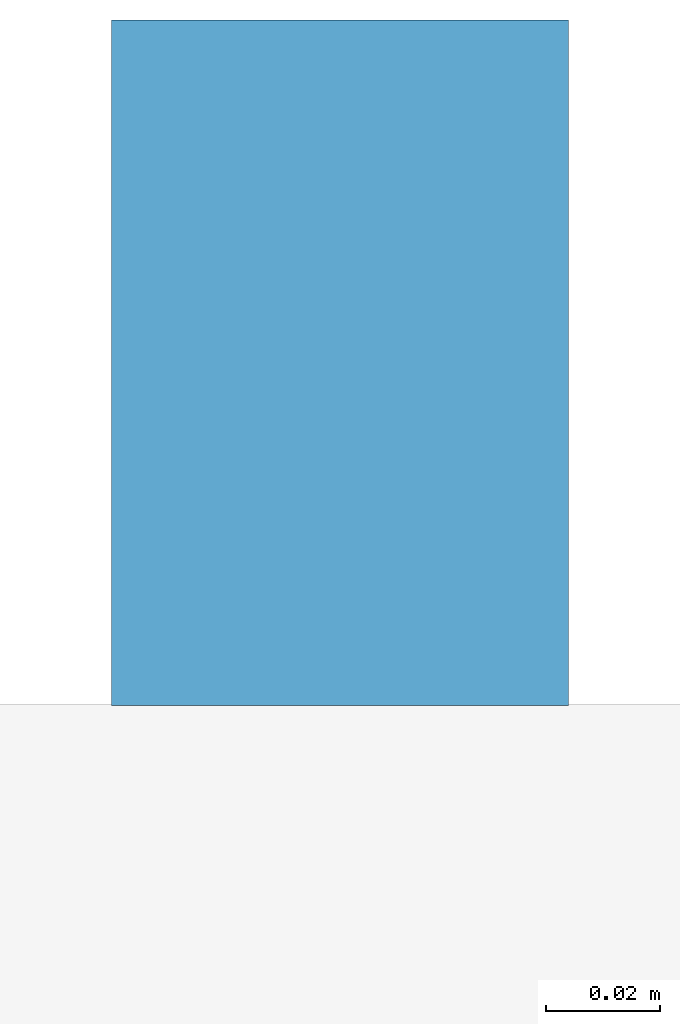
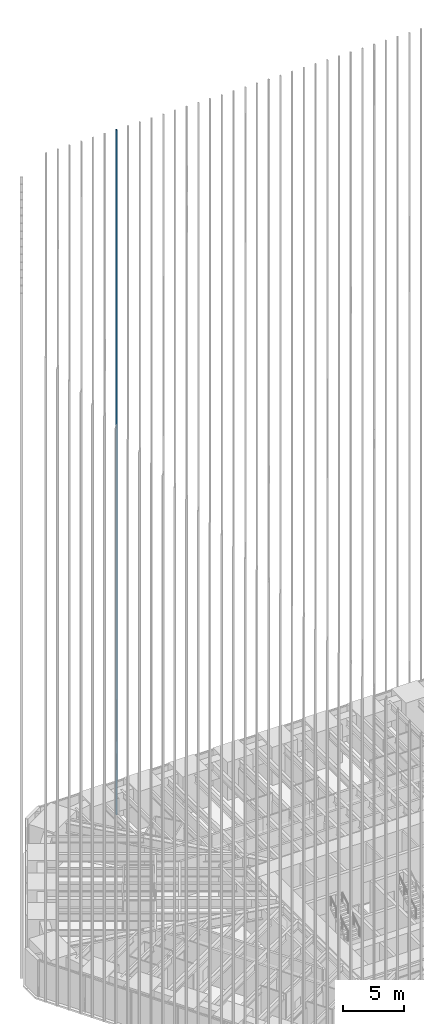
# One storey, part 172 of 256: 1 member, 1 element without a shape of its own.
"""IFC4 building model written with IfcOpenShell, lengths in metres."""

from ifc_helpers import new_model, si_unit, direction, frame, origin, origin_2d, place, context, subcontext, project, spatial, rectangle, extrude, material, material_profile, profile_set, type_object, element, aggregate, save


model = new_model("IFC4")

# Units and contexts
model_context = context("Model", 3, precision=1e-05, world=origin(), true_north=direction((0.0, 1.0)))
body_context = subcontext(model_context, "Body", "Model", "MODEL_VIEW")
ifc_project = project(units=[si_unit("LENGTHUNIT", "METRE"), si_unit("AREAUNIT", "SQUARE_METRE"), si_unit("VOLUMEUNIT", "CUBIC_METRE"), si_unit("PLANEANGLEUNIT", "RADIAN"), si_unit("MASSUNIT", "GRAM", prefix="KILO")], contexts=[model_context])

# Site, building, storey
site_placement = place(None, origin())
site = spatial("IfcSite", under=ifc_project, at=site_placement, CompositionType="ELEMENT")
building_placement = place(site_placement, origin())
building = spatial("IfcBuilding", under=site, at=building_placement, Name="Sandreach Pilgrim Tower", CompositionType="ELEMENT")
storey_placement = place(building_placement, frame((0.0, 0.0, 23.0)))
storey = spatial("IfcBuildingStorey", under=building, at=storey_placement, Name="L04", CompositionType="ELEMENT", Elevation=23.0)

# Curtain wall, member
ifc_material_1 = material(Name="Aluminium framed curtain wall", Category="aluminium")
curtain_wall_type = type_object("IfcCurtainWallType", Name="Hostel tower curtain wall", PredefinedType="NOTDEFINED", material=ifc_material_1)
curtain_wall_placement = place(storey_placement, origin())
curtain_wall = element("IfcCurtainWall", 1, at=curtain_wall_placement, inside=storey, type_object=curtain_wall_type, Name="CW-1 L04 N", PredefinedType="NOTDEFINED")
ifc_material_2 = material(Name="Extruded terracotta on aluminium core", Category="masonry")
ifc_material_profile = material_profile(ifc_material_2, rectangle(XDim=0.080078125, YDim=0.1201171875, at=origin_2d()), Name="TBN 80X120")
ifc_profile_set = profile_set([ifc_material_profile], Name="Extruded terracotta on aluminium core")
member_type = type_object("IfcMemberType", Name="Terracotta baguette north", PredefinedType="USERDEFINED", material=ifc_profile_set)
member_placement = place(storey_placement, frame((-12.14892578125, 24.30859375, 0.0), z_axis=(0.0, 0.0, 1.0), x_axis=(1.0, 0.0, 0.0)))
member = element("IfcMember", 2, at=member_placement, type_object=member_type, Name="Baguette Z1 N07", ObjectType="BAGUETTE", PredefinedType="USERDEFINED", context=body_context, shape_type="SweptSolid", body=[
    extrude(rectangle(XDim=0.080078125, YDim=0.1201171875, at=origin_2d()), origin(), (0.0, 0.0, 1.0), 68.239990234375),
])
aggregate(curtain_wall, [member])

save(model, "model.ifc")
